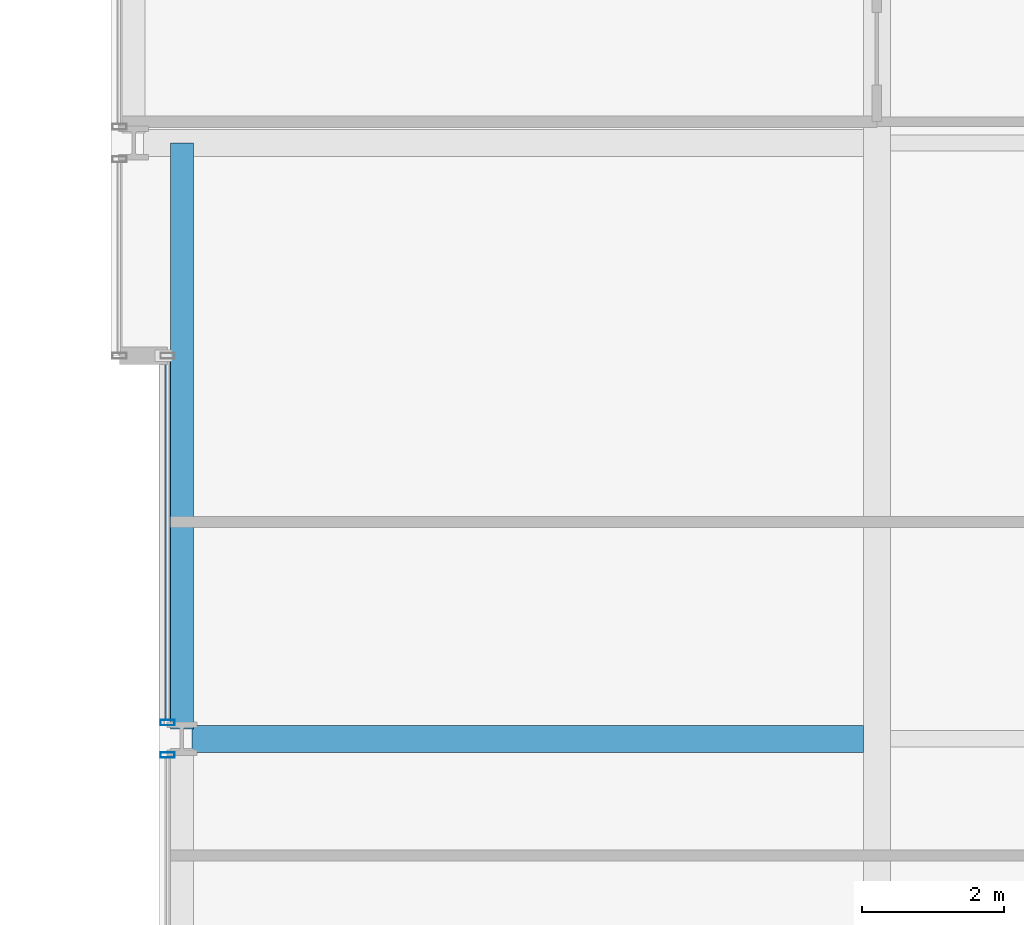
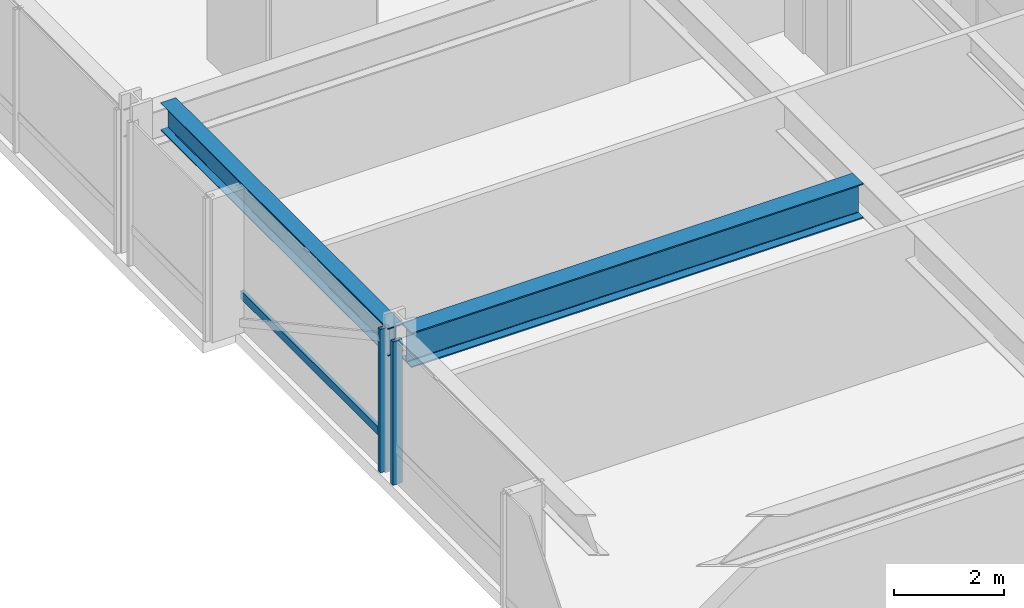
# One storey, part 9 of 37: 3 members, 2 beams, 2 elements without a shape of their own.
"""IFC4 building model written with IfcOpenShell, lengths in metres."""

from ifc_helpers import new_model, si_unit, direction, frame, origin, origin_2d, place, context, subcontext, project, spatial, hollow_rectangle, i_section, extrude, material, layer, layer_set, material_profile, profile_set, type_object, element, aggregate, save


model = new_model("IFC4")

# Units and contexts
model_context = context("Model", 3, precision=1e-05, world=origin(), true_north=direction((0.0, 1.0)))
body_context = subcontext(model_context, "Body", "Model", "MODEL_VIEW")
ifc_project = project(units=[si_unit("LENGTHUNIT", "METRE"), si_unit("AREAUNIT", "SQUARE_METRE"), si_unit("VOLUMEUNIT", "CUBIC_METRE"), si_unit("PLANEANGLEUNIT", "RADIAN"), si_unit("MASSUNIT", "GRAM", prefix="KILO")], contexts=[model_context])

# Site, building, storey
site_placement = place(None, origin())
site = spatial("IfcSite", under=ifc_project, at=site_placement, CompositionType="ELEMENT")
building_placement = place(site_placement, origin())
building = spatial("IfcBuilding", under=site, at=building_placement, Name="Drelvath Grand Hotel", CompositionType="ELEMENT")
storey_placement = place(building_placement, frame((0.0, 0.0, 78.699951171875)))
storey = spatial("IfcBuildingStorey", under=building, at=storey_placement, Name="L19", CompositionType="ELEMENT", Elevation=78.699951171875)

# Curtain wall, member
ifc_material_1 = material(Name="Warm Bronze Anodised Aluminium Frame", Category="aluminium")
ifc_layer = layer(ifc_material_1, 0.199951171875)
ifc_layer_set = layer_set([ifc_layer], Name="Warm Bronze Anodised Aluminium Frame")
curtain_wall_type = type_object("IfcCurtainWallType", Name="Stick Curtain Wall CW-02 Warm Bronze Low-Rise", PredefinedType="NOTDEFINED", material=ifc_layer_set)
curtain_wall_1_placement = place(storey_placement, origin())
curtain_wall_1 = element("IfcCurtainWall", 1, at=curtain_wall_1_placement, inside=storey, type_object=curtain_wall_type, Name="L19 CW-02 Curtain Wall CW02-L19-WM2", PredefinedType="NOTDEFINED")
ifc_material_profile_1 = material_profile(ifc_material_1, hollow_rectangle(XDim=0.074951171875, YDim=0.179931640625, WallThickness=0.0048828125, at=origin_2d()), Name="HSS180X75X5")
ifc_profile_set_1 = profile_set([ifc_material_profile_1], Name="Warm Bronze Anodised Aluminium Frame")
member_type_1 = type_object("IfcMemberType", Name="Curtain Wall Horizontal Transom CW-02 HSS180X75X5", PredefinedType="USERDEFINED", material=ifc_profile_set_1)
member_1_placement = place(storey_placement, frame((-26.199951171875, 27.26904296875, 0.795166015625), z_axis=(0.0, 1.0, 0.0), x_axis=(-1.0, 0.0, 0.0)))
member_1 = element("IfcMember", 2, at=member_1_placement, type_object=member_type_1, Name="CW02-L19-WM2 Sill Transom", ObjectType="TRANSOM", PredefinedType="USERDEFINED", context=body_context, shape_type="SweptSolid", body=[
    extrude(hollow_rectangle(XDim=0.074951171875, YDim=0.179931640625, WallThickness=0.0048828125, at=origin_2d()), origin(), (0.0, 0.0, 1.0), 5.091064453125),
])

curtain_wall_2_placement = place(storey_placement, origin())
curtain_wall_2 = element("IfcCurtainWall", 3, at=curtain_wall_2_placement, inside=storey, type_object=curtain_wall_type, Name="L19 CW-02 Curtain Wall CW02-L19-WM1", PredefinedType="NOTDEFINED")
ifc_material_profile_2 = material_profile(ifc_material_1, hollow_rectangle(XDim=0.080078125, YDim=0.199951171875, WallThickness=0.0048828125, at=origin_2d()), Name="HSS200X80X5")
ifc_profile_set_2 = profile_set([ifc_material_profile_2], Name="Warm Bronze Anodised Aluminium Frame")
member_type_2 = type_object("IfcMemberType", Name="Curtain Wall Vertical Mullion CW-02 HSS200X80X5", PredefinedType="MULLION", material=ifc_profile_set_2)
member_2_placement = place(storey_placement, frame((-26.199951171875, 26.77099609375, 0.0), z_axis=(0.0, 0.0, 1.0), x_axis=(0.0, 1.0, 0.0)))
member_2 = element("IfcMember", 4, at=member_2_placement, type_object=member_type_2, Name="CW02-L19-WM1 Mullion 2", PredefinedType="MULLION", context=body_context, shape_type="SweptSolid", body=[
    extrude(hollow_rectangle(XDim=0.080078125, YDim=0.199951171875, WallThickness=0.0048828125, at=origin_2d()), origin(), (0.0, 0.0, 1.0), 3.179931640625),
])
aggregate(curtain_wall_2, [member_2])

# Member
member_3_placement = place(storey_placement, frame((-26.199951171875, 27.22900390625, 0.0), z_axis=(0.0, 0.0, 1.0), x_axis=(0.0, 1.0, 0.0)))
member_3 = element("IfcMember", 5, at=member_3_placement, type_object=member_type_2, Name="CW02-L19-WM2 Mullion 1", PredefinedType="MULLION", context=body_context, shape_type="SweptSolid", body=[
    extrude(hollow_rectangle(XDim=0.080078125, YDim=0.199951171875, WallThickness=0.0048828125, at=origin_2d()), origin(), (0.0, 0.0, 1.0), 3.179931640625),
])

aggregate(curtain_wall_1, [member_3, member_1])

# Beams
ifc_material_2 = material(Name="Steel ASTM A992 Gr 50", Category="steel")
ifc_material_profile_3 = material_profile(ifc_material_2, i_section(OverallWidth=0.323974609375, OverallDepth=0.611083984375, WebThickness=0.0126953125, FlangeThickness=0.01904296875, FilletRadius=0.02197265625, at=origin_2d()), Name="W24X104")
ifc_profile_set_3 = profile_set([ifc_material_profile_3], Name="Steel ASTM A992 Gr 50")
beam_type_1 = type_object("IfcBeamType", Name="Perimeter Spandrel Beam W24X104", PredefinedType="SPANDREL", material=ifc_profile_set_3)
beam_1_placement = place(storey_placement, frame((-26.0, 27.139892578125, 2.87451171875), z_axis=(0.0, 1.0, 0.0), x_axis=(-1.0, 0.0, 0.0)))
element("IfcBeam", 6, at=beam_1_placement, inside=storey, type_object=beam_type_1, Name="L19 Spandrel West Mid N", PredefinedType="SPANDREL", context=body_context, shape_type="SweptSolid", body=[
    extrude(i_section(OverallWidth=0.323974609375, OverallDepth=0.611083984375, WebThickness=0.0126953125, FlangeThickness=0.01904296875, FilletRadius=0.02197265625, at=origin_2d()), origin(), (0.0, 0.0, 1.0), 8.260009765625),
])
ifc_material_profile_4 = material_profile(ifc_material_2, i_section(OverallWidth=0.380615234375, OverallDepth=0.773193359375, WebThickness=0.0166015625, FlangeThickness=0.027099609375, FilletRadius=0.02490234375, at=origin_2d()), Name="W30X173")
ifc_profile_set_4 = profile_set([ifc_material_profile_4], Name="Steel ASTM A992 Gr 50")
beam_type_2 = type_object("IfcBeamType", Name="Primary Floor Girder W30X173", PredefinedType="BEAM", material=ifc_profile_set_4)
beam_2_placement = place(storey_placement, frame((-25.860107421875, 27.0, 2.79345703125), z_axis=(1.0, 0.0, 0.0), x_axis=(0.0, 1.0, 0.0)))
element("IfcBeam", 7, at=beam_2_placement, inside=storey, type_object=beam_type_2, Name="L19 West Wing Girder E", PredefinedType="BEAM", context=body_context, shape_type="SweptSolid", body=[
    extrude(i_section(OverallWidth=0.380615234375, OverallDepth=0.773193359375, WebThickness=0.0166015625, FlangeThickness=0.027099609375, FilletRadius=0.02490234375, at=origin_2d()), origin(), (0.0, 0.0, 1.0), 9.4697265625),
])

save(model, "model.ifc")
